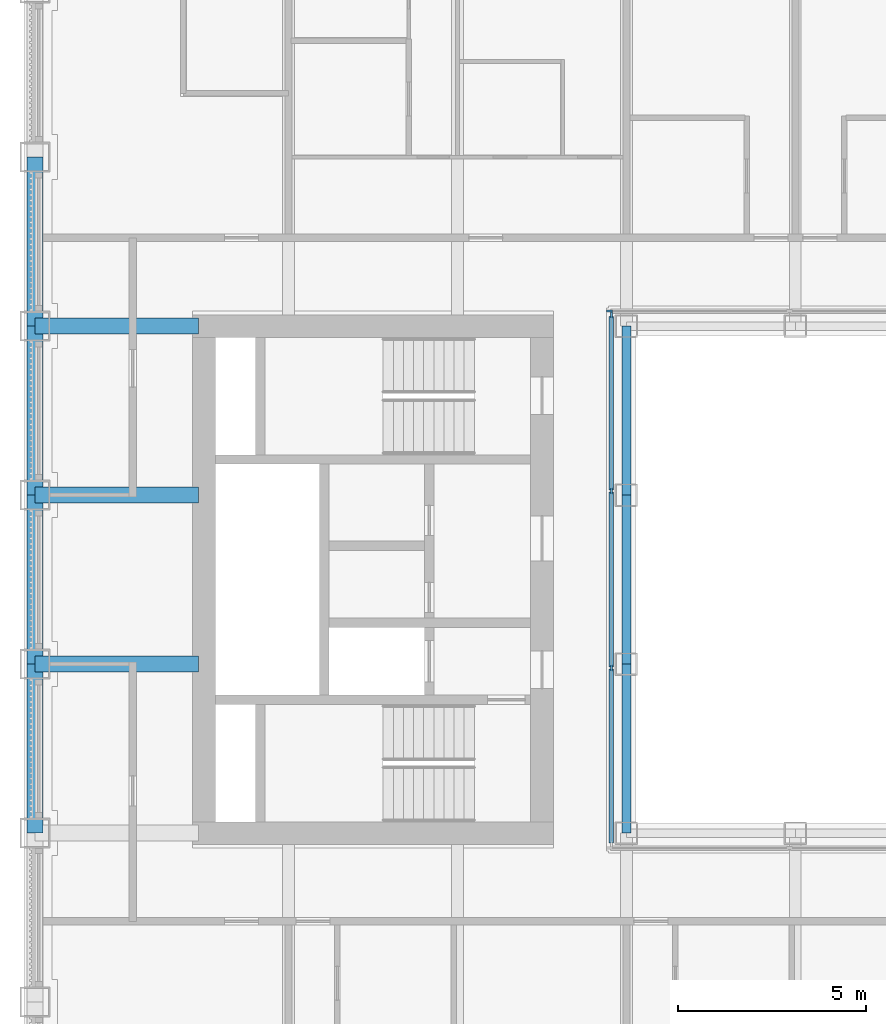
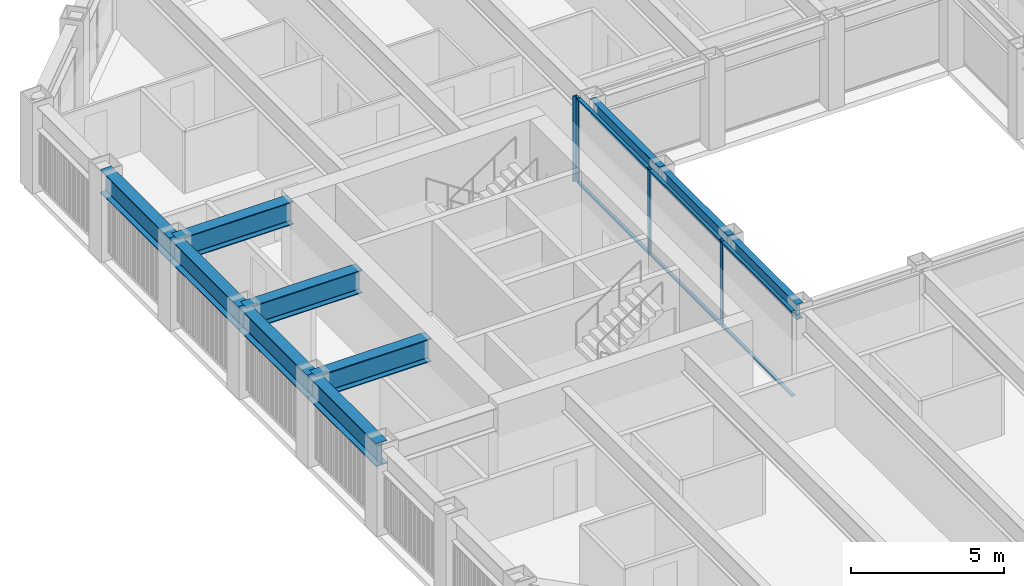
# One storey, part 4 of 17: 10 beams, 10 members, 2 elements without a shape of their own.
"""IFC4 building model written with IfcOpenShell, lengths in metres."""

import ifcopenshell
import ifcopenshell.guid

model = None  # the IFC model being written
_history = None  # IfcOwnerHistory: only IFC2X3 demands one
_inside = {}  # id of a spatial element -> (the spatial element, [elements in it])
_under = {}  # id of a project, library or spatial element -> (it, [spatial elements below it])
_declared = {}  # id of a project -> (the project, [libraries it declares])
_typed = {}  # id of a type object -> (the type object, [elements of that type])
_made_of = {}  # id of a material, layer set ... -> (it, [elements and type objects made of it])


def new_model(schema):
    """Start an empty IFC model of exactly this schema.

    Asked for "IFC4X3", IfcOpenShell would pick the latest addendum, in which some entities
    have other attributes; the version numbers below select the first issue.
    IFC2X3 requires an IfcOwnerHistory on every rooted entity: one is made here for all.
    """
    global model, _history
    if schema == "IFC4X3":
        model = ifcopenshell.file(schema_version=(4, 3, 0, 0))
    else:
        model = ifcopenshell.file(schema=schema)
    _inside.clear()
    _under.clear()
    _declared.clear()
    _typed.clear()
    _made_of.clear()
    _history = None
    if model.schema == "IFC2X3":
        org = make("IfcOrganization", Name="unknown")
        user = make(
            "IfcPersonAndOrganization",
            ThePerson=make("IfcPerson", FamilyName="unknown"),
            TheOrganization=org,
        )
        app = make(
            "IfcApplication",
            ApplicationDeveloper=org,
            Version="unknown",
            ApplicationFullName="unknown",
            ApplicationIdentifier="unknown",
        )
        _history = make(
            "IfcOwnerHistory",
            OwningUser=user,
            OwningApplication=app,
            ChangeAction="ADDED",
            CreationDate=0,
        )
    return model


def make(cls, **values):
    """One entity of the class cls with the attributes given. An attribute that is None is left unset."""
    return model.create_entity(
        cls, **{name: value for name, value in values.items() if value is not None}
    )


def rooted(cls, **values):
    """An entity with a GlobalId (a new one), such as an element, a storey or a relation."""
    return make(cls, GlobalId=ifcopenshell.guid.new(), OwnerHistory=_history, **values)


def si_unit(unit_type, name, prefix=None):
    """IfcSIUnit, for example si_unit("LENGTHUNIT", "METRE", prefix="MILLI")."""
    return make("IfcSIUnit", UnitType=unit_type, Prefix=prefix, Name=name)


def assignment(units):
    """IfcUnitAssignment: the units of a project."""
    return None if units is None else make("IfcUnitAssignment", Units=units)


def point(xyz):
    """IfcCartesianPoint."""
    return None if xyz is None else make("IfcCartesianPoint", Coordinates=xyz)


def direction(xyz):
    """IfcDirection."""
    return None if xyz is None else make("IfcDirection", DirectionRatios=xyz)


def frame(location, z_axis=None, x_axis=None):
    """IfcAxis2Placement3D, a coordinate frame: its origin and axes. An axis left out is left unset."""
    return make(
        "IfcAxis2Placement3D",
        Location=point(location),
        Axis=direction(z_axis),
        RefDirection=direction(x_axis),
    )


def frame_2d(location, x_axis=None):
    """IfcAxis2Placement2D, a coordinate frame in the plane: its origin and x axis."""
    return make(
        "IfcAxis2Placement2D", Location=point(location), RefDirection=direction(x_axis)
    )


def origin():
    """The frame at (0, 0, 0) with its axes left unset."""
    return frame((0.0, 0.0, 0.0))


def origin_2d():
    """The frame at (0, 0) in the plane with its x axis left unset."""
    return frame_2d((0.0, 0.0))


def place(relative_to, where):
    """IfcLocalPlacement: puts the frame where relative to a parent placement (None: the world)."""
    return make(
        "IfcLocalPlacement", PlacementRelTo=relative_to, RelativePlacement=where
    )


def context(
    kind, dimensions, precision=None, world=None, true_north=None, identifier=None
):
    """IfcGeometricRepresentationContext, for example the 3D "Model" context."""
    return make(
        "IfcGeometricRepresentationContext",
        ContextIdentifier=identifier,
        ContextType=kind,
        CoordinateSpaceDimension=dimensions,
        Precision=precision,
        WorldCoordinateSystem=world,
        TrueNorth=true_north,
    )


def subcontext(parent, identifier, kind, view, scale=None):
    """IfcGeometricRepresentationSubContext, for example "Body" below "Model"."""
    return make(
        "IfcGeometricRepresentationSubContext",
        ContextIdentifier=identifier,
        ContextType=kind,
        ParentContext=parent,
        TargetScale=scale,
        TargetView=view,
    )


def project(units=None, contexts=None):
    """IfcProject with its units and contexts."""
    return rooted(
        "IfcProject",
        Name="project",
        RepresentationContexts=contexts,
        UnitsInContext=assignment(units),
    )


def spatial(cls, under=None, at=None, **own):
    """A site, building, storey or space (cls), placed at a placement, below another one or the project."""
    s = rooted(cls, ObjectPlacement=at, **own)
    if under is not None:
        _under.setdefault(under.id(), (under, []))[1].append(s)
    return s


def profile(cls, at=None, kind="AREA", **sizes):
    """A parametric profile (cls). Its sizes go by their IFC names, for example OverallWidth=200.0."""
    return make(cls, ProfileType=kind, Position=at, **sizes)


def rectangle(**sizes):
    """IfcRectangleProfileDef."""
    return profile("IfcRectangleProfileDef", **sizes)


def i_section(**sizes):
    """IfcIShapeProfileDef."""
    return profile("IfcIShapeProfileDef", **sizes)


def extrude(swept, where, along, depth):
    """IfcExtrudedAreaSolid: the profile swept, set in the frame where, extruded along a direction by depth."""
    return make(
        "IfcExtrudedAreaSolid",
        SweptArea=swept,
        Position=where,
        ExtrudedDirection=direction(along),
        Depth=depth,
    )


def shape(context_of_items, identifier, shape_type, items):
    """IfcShapeRepresentation: the items that make up one representation, for example the "Body"."""
    return make(
        "IfcShapeRepresentation",
        ContextOfItems=context_of_items,
        RepresentationIdentifier=identifier,
        RepresentationType=shape_type,
        Items=items,
    )


def material(Name=None, Category=None):
    """IfcMaterial."""
    return make("IfcMaterial", Name=Name, Category=Category)


def material_profile(
    of_material, cross_section, Name=None, Category=None, Priority=None
):
    """IfcMaterialProfile: a cross section and its material."""
    return make(
        "IfcMaterialProfile",
        Name=Name,
        Material=of_material,
        Profile=cross_section,
        Priority=Priority,
        Category=Category,
    )


def profile_set(profiles, Name=None, composite=None):
    """IfcMaterialProfileSet."""
    return make(
        "IfcMaterialProfileSet",
        Name=Name,
        MaterialProfiles=profiles,
        CompositeProfile=composite,
    )


def made_of(thing, what):
    """Note that an element or type object is made of a material, layer set ...; save() writes the relation."""
    if what is not None:
        _made_of.setdefault(what.id(), (what, []))[1].append(thing)
    return thing


def type_object(cls, material=None, **own):
    """A type object (cls), such as IfcWallType, which elements share."""
    return made_of(rooted(cls, **own), material)


def element(
    cls,
    number,
    at=None,
    inside=None,
    cuts=None,
    type_object=None,
    material=None,
    context=None,
    identifier="Body",
    shape_type=None,
    held_by="IfcProductDefinitionShape",
    body=None,
    shapes=None,
    **own,
):
    """One element of the class cls, such as IfcWall. Its Tag is "e" and its number.

    at: its placement. inside: the storey or other place that contains it. cuts: it is an
    opening in that element (IfcRelVoidsElement). A single representation is given by context,
    identifier, shape_type and body (its items); several are given by shapes. held_by: the class
    of the entity that holds the representations. save() writes the other relations.
    """
    e = rooted(cls, Tag="e%d" % number, ObjectPlacement=at, **own)
    if body is not None:
        shapes = [shape(context, identifier, shape_type, body)]
    if shapes is not None:
        e.Representation = make(held_by, Representations=shapes)
    if inside is not None:
        _inside.setdefault(inside.id(), (inside, []))[1].append(e)
    if cuts is not None:
        rooted(
            "IfcRelVoidsElement", RelatingBuildingElement=cuts, RelatedOpeningElement=e
        )
    if type_object is not None:
        _typed.setdefault(type_object.id(), (type_object, []))[1].append(e)
    return made_of(e, material)


def aggregate(whole, parts):
    """IfcRelAggregates: a whole, such as a stair, and the parts it consists of."""
    return rooted("IfcRelAggregates", RelatingObject=whole, RelatedObjects=parts)


def save(model, path):
    """Write the relations noted so far, then the file.

    IfcRelAggregates (storeys below a building ...), IfcRelContainedInSpatialStructure (elements
    in a storey), IfcRelDefinesByType, IfcRelAssociatesMaterial and IfcRelDeclares: one each for
    every whole, place, type object, material and project.
    """
    for whole, parts in _under.values():
        aggregate(whole, parts)
    for where, things in _inside.values():
        rooted(
            "IfcRelContainedInSpatialStructure",
            RelatedElements=things,
            RelatingStructure=where,
        )
    for kind, things in _typed.values():
        rooted("IfcRelDefinesByType", RelatedObjects=things, RelatingType=kind)
    for what, things in _made_of.values():
        rooted("IfcRelAssociatesMaterial", RelatedObjects=things, RelatingMaterial=what)
    for by, libraries in _declared.values():
        rooted("IfcRelDeclares", RelatingContext=by, RelatedDefinitions=libraries)
    model.write(path)


model = new_model("IFC4")

# Units and contexts
model_context = context("Model", 3, precision=1e-05, world=origin(), true_north=direction((0.0, 1.0)))
body_context = subcontext(model_context, "Body", "Model", "MODEL_VIEW")
ifc_project = project(units=[si_unit("LENGTHUNIT", "METRE"), si_unit("AREAUNIT", "SQUARE_METRE"), si_unit("VOLUMEUNIT", "CUBIC_METRE"), si_unit("PLANEANGLEUNIT", "RADIAN"), si_unit("MASSUNIT", "GRAM", prefix="KILO")], contexts=[model_context])

# Site, building, storey
site_placement = place(None, origin())
site = spatial("IfcSite", under=ifc_project, at=site_placement, CompositionType="ELEMENT")
building_placement = place(site_placement, origin())
building = spatial("IfcBuilding", under=site, at=building_placement, Name="Msasa Ring Tower", CompositionType="ELEMENT")
storey_placement = place(building_placement, frame((0.0, 0.0, 179.60009765625)))
storey = spatial("IfcBuildingStorey", under=building, at=storey_placement, Name="L47", CompositionType="ELEMENT", Elevation=179.60009765625)

# Curtain wall, member
ifc_material_1 = material(Name="Aluminium curtain wall with clear glass", Category="aluminium")
curtain_wall_type = type_object("IfcCurtainWallType", Name="CW-W LIGHT WELL CURTAIN WALL", PredefinedType="NOTDEFINED", material=ifc_material_1)
curtain_wall_1_placement = place(storey_placement, origin())
curtain_wall_1 = element("IfcCurtainWall", 1, at=curtain_wall_1_placement, inside=storey, type_object=curtain_wall_type, Name="Light well curtain wall N L47", PredefinedType="NOTDEFINED")
ifc_material_2 = material(Name="Aluminium mullion", Category="aluminium")
ifc_material_profile_1 = material_profile(ifc_material_2, rectangle(XDim=0.06005859375, YDim=0.159912109375, at=origin_2d()), Name="AL 60x160")
ifc_profile_set_1 = profile_set([ifc_material_profile_1], Name="Aluminium mullion")
member_type_1 = type_object("IfcMemberType", Name="CW-W MULLION 60x160", PredefinedType="MULLION", material=ifc_profile_set_1)
member_1_placement = place(storey_placement, frame((-7.199951171875, 7.14990234375, 0.0), z_axis=(0.0, 0.0, 1.0), x_axis=(0.0, 1.0, 0.0)))
member_1 = element("IfcMember", 2, at=member_1_placement, type_object=member_type_1, Name="CW-W mullion 1", PredefinedType="MULLION", context=body_context, shape_type="SweptSolid", body=[
    extrude(rectangle(XDim=0.06005859375, YDim=0.159912109375, at=origin_2d()), origin(), (0.0, 0.0, 1.0), 3.39990234375),
])
aggregate(curtain_wall_1, [member_1])

# Curtain wall, members
curtain_wall_2_placement = place(storey_placement, origin())
curtain_wall_2 = element("IfcCurtainWall", 3, at=curtain_wall_2_placement, inside=storey, type_object=curtain_wall_type, Name="Light well curtain wall W L47", PredefinedType="NOTDEFINED")
member_2_placement = place(storey_placement, frame((-7.14990234375, -2.356689453125, 0.0), z_axis=(0.0, 0.0, 1.0), x_axis=(-1.0, 0.0, 0.0)))
member_2 = element("IfcMember", 4, at=member_2_placement, type_object=member_type_1, Name="CW-W mullion 2", PredefinedType="MULLION", context=body_context, shape_type="SweptSolid", body=[
    extrude(rectangle(XDim=0.06005859375, YDim=0.159912109375, at=origin_2d()), origin(), (0.0, 0.0, 1.0), 3.39990234375),
])
member_3_placement = place(storey_placement, frame((-7.14990234375, 2.356689453125, 0.0), z_axis=(0.0, 0.0, 1.0), x_axis=(-1.0, 0.0, 0.0)))
member_3 = element("IfcMember", 5, at=member_3_placement, type_object=member_type_1, Name="CW-W mullion 3", PredefinedType="MULLION", context=body_context, shape_type="SweptSolid", body=[
    extrude(rectangle(XDim=0.06005859375, YDim=0.159912109375, at=origin_2d()), origin(), (0.0, 0.0, 1.0), 3.39990234375),
])
member_4_placement = place(storey_placement, frame((-7.14990234375, 7.0400390625, 0.0), z_axis=(0.0, 0.0, 1.0), x_axis=(-1.0, 0.0, 0.0)))
member_4 = element("IfcMember", 6, at=member_4_placement, type_object=member_type_1, Name="CW-W mullion 4", PredefinedType="MULLION", context=body_context, shape_type="SweptSolid", body=[
    extrude(rectangle(XDim=0.06005859375, YDim=0.159912109375, at=origin_2d()), origin(), (0.0, 0.0, 1.0), 3.39990234375),
])
ifc_material_3 = material(Name="Aluminium transom", Category="aluminium")
ifc_material_profile_2 = material_profile(ifc_material_3, rectangle(XDim=0.1201171875, YDim=0.06005859375, at=origin_2d()), Name="AL 60x120")
ifc_profile_set_2 = profile_set([ifc_material_profile_2], Name="Aluminium transom")
member_type_2 = type_object("IfcMemberType", Name="CW-W TRANSOM 60x120", PredefinedType="USERDEFINED", material=ifc_profile_set_2)
member_5_placement = place(storey_placement, frame((-7.14990234375, -7.010009765625, 0.02978515625), z_axis=(0.0, 1.0, 0.0), x_axis=(-1.0, 0.0, 0.0)))
member_5 = element("IfcMember", 7, at=member_5_placement, type_object=member_type_2, Name="CW-W transom 1.1", ObjectType="TRANSOM", PredefinedType="USERDEFINED", context=body_context, shape_type="SweptSolid", body=[
    extrude(rectangle(XDim=0.1201171875, YDim=0.06005859375, at=origin_2d()), origin(), (0.0, 0.0, 1.0), 4.623291015625),
])
member_6_placement = place(storey_placement, frame((-7.14990234375, -7.010009765625, 3.369873046875), z_axis=(0.0, 1.0, 0.0), x_axis=(-1.0, 0.0, 0.0)))
member_6 = element("IfcMember", 8, at=member_6_placement, type_object=member_type_2, Name="CW-W transom 1.2", ObjectType="TRANSOM", PredefinedType="USERDEFINED", context=body_context, shape_type="SweptSolid", body=[
    extrude(rectangle(XDim=0.1201171875, YDim=0.06005859375, at=origin_2d()), origin(), (0.0, 0.0, 1.0), 4.623291015625),
])
member_7_placement = place(storey_placement, frame((-7.14990234375, -2.32666015625, 0.02978515625), z_axis=(0.0, 1.0, 0.0), x_axis=(-1.0, 0.0, 0.0)))
member_7 = element("IfcMember", 9, at=member_7_placement, type_object=member_type_2, Name="CW-W transom 2.1", ObjectType="TRANSOM", PredefinedType="USERDEFINED", context=body_context, shape_type="SweptSolid", body=[
    extrude(rectangle(XDim=0.1201171875, YDim=0.06005859375, at=origin_2d()), origin(), (0.0, 0.0, 1.0), 4.6533203125),
])
member_8_placement = place(storey_placement, frame((-7.14990234375, -2.32666015625, 3.369873046875), z_axis=(0.0, 1.0, 0.0), x_axis=(-1.0, 0.0, 0.0)))
member_8 = element("IfcMember", 10, at=member_8_placement, type_object=member_type_2, Name="CW-W transom 2.2", ObjectType="TRANSOM", PredefinedType="USERDEFINED", context=body_context, shape_type="SweptSolid", body=[
    extrude(rectangle(XDim=0.1201171875, YDim=0.06005859375, at=origin_2d()), origin(), (0.0, 0.0, 1.0), 4.6533203125),
])
member_9_placement = place(storey_placement, frame((-7.14990234375, 2.38671875, 0.02978515625), z_axis=(0.0, 1.0, 0.0), x_axis=(-1.0, 0.0, 0.0)))
member_9 = element("IfcMember", 11, at=member_9_placement, type_object=member_type_2, Name="CW-W transom 3.1", ObjectType="TRANSOM", PredefinedType="USERDEFINED", context=body_context, shape_type="SweptSolid", body=[
    extrude(rectangle(XDim=0.1201171875, YDim=0.06005859375, at=origin_2d()), origin(), (0.0, 0.0, 1.0), 4.623291015625),
])
member_10_placement = place(storey_placement, frame((-7.14990234375, 2.38671875, 3.369873046875), z_axis=(0.0, 1.0, 0.0), x_axis=(-1.0, 0.0, 0.0)))
member_10 = element("IfcMember", 12, at=member_10_placement, type_object=member_type_2, Name="CW-W transom 3.2", ObjectType="TRANSOM", PredefinedType="USERDEFINED", context=body_context, shape_type="SweptSolid", body=[
    extrude(rectangle(XDim=0.1201171875, YDim=0.06005859375, at=origin_2d()), origin(), (0.0, 0.0, 1.0), 4.623291015625),
])
aggregate(curtain_wall_2, [member_2, member_3, member_4, member_5, member_6, member_7, member_8, member_9, member_10])

# Beams
ifc_material_4 = material(Name="Steel S355", Category="steel")
ifc_material_profile_3 = material_profile(ifc_material_4, i_section(OverallWidth=0.42041015625, OverallDepth=0.9208984375, WebThickness=0.021484375, FlangeThickness=0.03662109375, FilletRadius=0.024169921875, at=origin_2d()), Name="UB 914x419x388")
ifc_profile_set_3 = profile_set([ifc_material_profile_3], Name="Steel S355")
beam_type_1 = type_object("IfcBeamType", Name="FB2 UB 914x419x388", PredefinedType="BEAM", material=ifc_profile_set_3)
for number, where, z_axis, x_axis, name in (
    (13, (-22.5, -2.25, 2.939453125), (1.0, 0.0, 0.0), (0.0, 1.0, 0.0), "Floor beam W -2.25 under L48"),
    (14, (-22.5, 2.25, 2.939453125), (1.0, 0.0, 0.0), (0.0, 1.0, 0.0), "Floor beam W +2.25 under L48"),
):
    element("IfcBeam", number, at=place(storey_placement, frame(where, z_axis=z_axis, x_axis=x_axis)), inside=storey, type_object=beam_type_1, Name=name, PredefinedType="BEAM", context=body_context, shape_type="SweptSolid", body=[
        extrude(i_section(OverallWidth=0.42041015625, OverallDepth=0.9208984375, WebThickness=0.021484375, FlangeThickness=0.03662109375, FilletRadius=0.024169921875, at=origin_2d()), origin(), (0.0, 0.0, 1.0), 4.35009765625),
    ])
ifc_material_5 = material(Name="Steel S355", Category="steel")
ifc_material_profile_4 = material_profile(ifc_material_5, i_section(OverallWidth=0.42041015625, OverallDepth=0.9208984375, WebThickness=0.021484375, FlangeThickness=0.03662109375, FilletRadius=0.024169921875, at=origin_2d()), Name="UB 914x419x388")
ifc_profile_set_4 = profile_set([ifc_material_profile_4], Name="Steel S355")
beam_type_2 = type_object("IfcBeamType", Name="GB1 UB 914x419x388", PredefinedType="BEAM", material=ifc_profile_set_4)
beam_placement = place(storey_placement, frame((-18.14990234375, 6.75, 2.939453125), z_axis=(-1.0, 0.0, 0.0), x_axis=(0.0, -1.0, 0.0)))
element("IfcBeam", 15, at=beam_placement, inside=storey, type_object=beam_type_2, Name="Girder W +6.75 under L48", PredefinedType="BEAM", context=body_context, shape_type="SweptSolid", body=[
    extrude(i_section(OverallWidth=0.42041015625, OverallDepth=0.9208984375, WebThickness=0.021484375, FlangeThickness=0.03662109375, FilletRadius=0.024169921875, at=origin_2d()), origin(), (0.0, 0.0, 1.0), 4.35009765625),
])
ifc_material_6 = material(Name="Steel S355", Category="steel")
ifc_material_profile_5 = material_profile(ifc_material_6, i_section(OverallWidth=0.230224609375, OverallDepth=0.6171875, WebThickness=0.01318359375, FlangeThickness=0.022216796875, FilletRadius=0.0126953125, at=origin_2d()), Name="UB 610x229x140")
ifc_profile_set_5 = profile_set([ifc_material_profile_5], Name="Steel S355")
beam_type_3 = type_object("IfcBeamType", Name="RB1 UB 610x229x140", PredefinedType="BEAM", material=ifc_profile_set_5)
for number, where, z_axis, x_axis, name in (
    (16, (-6.75, -2.25, 3.09130859375), (0.0, -1.0, 0.0), (1.0, 0.0, 0.0), "Inner ring beam IR-6.75-2.25 under L48"),
    (17, (-6.75, 6.75, 3.09130859375), (0.0, -1.0, 0.0), (1.0, 0.0, 0.0), "Inner ring beam IR-6.75+6.75 under L48"),
    (18, (-6.75, 2.25, 3.09130859375), (0.0, -1.0, 0.0), (1.0, 0.0, 0.0), "Inner ring beam IR-6.75+2.25 under L48"),
):
    element("IfcBeam", number, at=place(storey_placement, frame(where, z_axis=z_axis, x_axis=x_axis)), inside=storey, type_object=beam_type_3, Name=name, PredefinedType="BEAM", context=body_context, shape_type="SweptSolid", body=[
        extrude(i_section(OverallWidth=0.230224609375, OverallDepth=0.6171875, WebThickness=0.01318359375, FlangeThickness=0.022216796875, FilletRadius=0.0126953125, at=origin_2d()), origin(), (0.0, 0.0, 1.0), 4.5),
    ])
ifc_material_7 = material(Name="Steel S355", Category="steel")
ifc_material_profile_6 = material_profile(ifc_material_7, i_section(OverallWidth=0.42041015625, OverallDepth=0.9208984375, WebThickness=0.021484375, FlangeThickness=0.03662109375, FilletRadius=0.024169921875, at=origin_2d()), Name="UB 914x419x388")
ifc_profile_set_6 = profile_set([ifc_material_profile_6], Name="Steel S355")
beam_type_4 = type_object("IfcBeamType", Name="SB1 UB 914x419x388", PredefinedType="SPANDREL", material=ifc_profile_set_6)
for number, where, z_axis, x_axis, name in (
    (19, (-22.5, -2.25, 2.939453125), (0.0, -1.0, 0.0), (1.0, 0.0, 0.0), "Spandrel W-2.25 to W-6.75 under L48"),
    (20, (-22.5, 11.25, 2.939453125), (0.0, -1.0, 0.0), (1.0, 0.0, 0.0), "Spandrel W+11.25 to W+6.75 under L48"),
    (21, (-22.5, 6.75, 2.939453125), (0.0, -1.0, 0.0), (1.0, 0.0, 0.0), "Spandrel W+6.75 to W+2.25 under L48"),
    (22, (-22.5, 2.25, 2.939453125), (0.0, -1.0, 0.0), (1.0, 0.0, 0.0), "Spandrel W+2.25 to W-2.25 under L48"),
):
    element("IfcBeam", number, at=place(storey_placement, frame(where, z_axis=z_axis, x_axis=x_axis)), inside=storey, type_object=beam_type_4, Name=name, PredefinedType="SPANDREL", context=body_context, shape_type="SweptSolid", body=[
        extrude(i_section(OverallWidth=0.42041015625, OverallDepth=0.9208984375, WebThickness=0.021484375, FlangeThickness=0.03662109375, FilletRadius=0.024169921875, at=origin_2d()), origin(), (0.0, 0.0, 1.0), 4.5),
    ])

save(model, "model.ifc")
